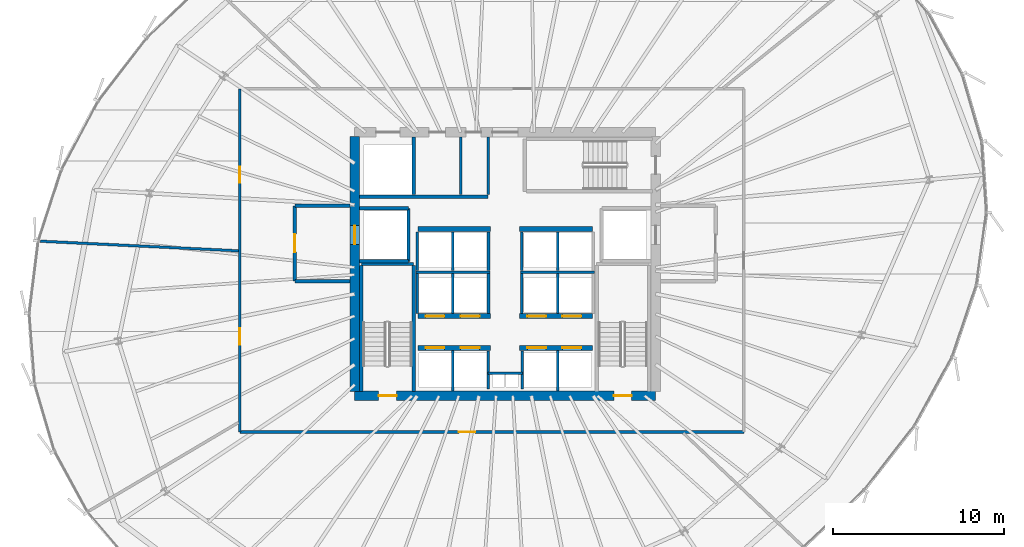
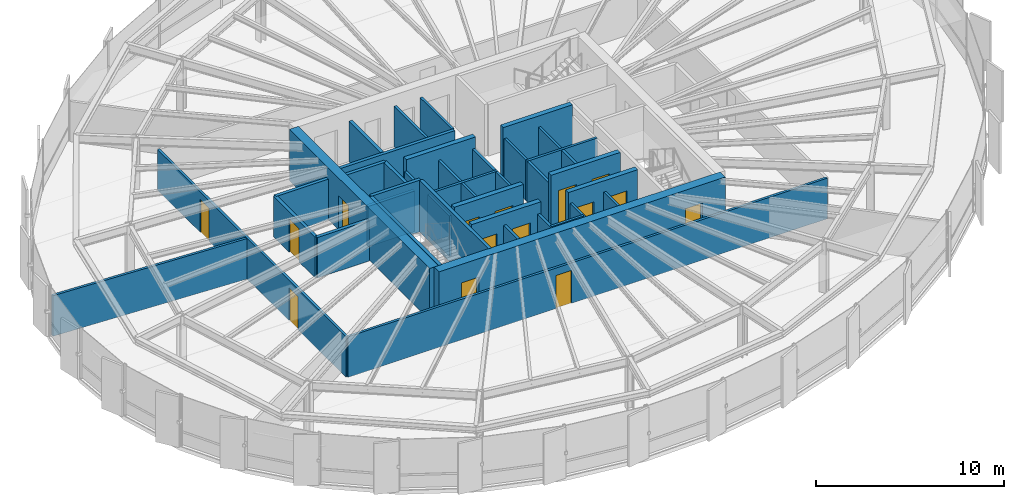
# One storey, part 28 of 34: 41 walls, 15 doors, 15 openings.
"""IFC4 building model written with IfcOpenShell, lengths in metres."""

from ifc_helpers import new_model, si_unit, direction, frame, frame_2d, origin, place, context, subcontext, project, spatial, rectangle, extrude, source, transform, mapped, material, layer, layer_set, type_object, element, fill, save


model = new_model("IFC4")

# Units and contexts
model_context = context("Model", 3, precision=1e-05, world=origin(), true_north=direction((0.0, 1.0)))
body_context = subcontext(model_context, "Body", "Model", "MODEL_VIEW")
ifc_project = project(units=[si_unit("LENGTHUNIT", "METRE"), si_unit("AREAUNIT", "SQUARE_METRE"), si_unit("VOLUMEUNIT", "CUBIC_METRE"), si_unit("PLANEANGLEUNIT", "RADIAN"), si_unit("MASSUNIT", "GRAM", prefix="KILO"), si_unit("THERMODYNAMICTEMPERATUREUNIT", "KELVIN")], contexts=[model_context])

# Site, building, storey
site_placement = place(None, origin())
site = spatial("IfcSite", under=ifc_project, at=site_placement, CompositionType="ELEMENT")
building_placement = place(site_placement, origin())
building = spatial("IfcBuilding", under=site, at=building_placement, Name="Kethvar Cultural Tower", CompositionType="ELEMENT")
storey_placement = place(building_placement, frame((0.0, 0.0, 125.199951171875)))
storey = spatial("IfcBuildingStorey", under=building, at=storey_placement, Name="L31", CompositionType="ELEMENT", Elevation=125.199951171875)

# Wall, openings, doors
ifc_material_1 = material(Name="Concrete C60/75", Category="concrete")
ifc_layer_1 = layer(ifc_material_1, 0.550048828125, Name="Concrete C60/75", Category="concrete")
ifc_layer_set_1 = layer_set([ifc_layer_1], Name="Concrete C60/75 (550 mm)")
wall_type_1 = type_object("IfcWallType", Name="WL-CORE-550", PredefinedType="SHEAR", material=ifc_layer_set_1)
wall_1_placement = place(storey_placement, frame((38.0, 20.10009765625, 0.0), z_axis=(0.0, 0.0, 1.0), x_axis=(1.0, 0.0, 0.0)))
wall_1 = element("IfcWall", 1, at=wall_1_placement, inside=storey, type_object=wall_type_1, Name="L31 Core Shear Wall S", PredefinedType="SHEAR", context=body_context, shape_type="SweptSolid", body=[
    extrude(rectangle(XDim=17.60009765625, YDim=0.550048828125, at=frame_2d((8.800048828125, 0.0))), origin(), (0.0, 0.0, 1.0), 3.35009765625),
])
opening_1_placement = place(wall_1_placement, frame((1.39990234375, 0.0, 0.0)))
opening_1 = element("IfcOpeningElement", 2, at=opening_1_placement, cuts=wall_1, Name="Opening D-L31-S1", PredefinedType="OPENING", context=body_context, shape_type="SweptSolid", body=[
    extrude(rectangle(XDim=1.050048828125, YDim=2.14990234375, at=frame_2d((0.52490234375, 1.074951171875))), frame((0.0, 0.284912109375, 0.0), z_axis=(0.0, -1.0, 0.0), x_axis=(1.0, 0.0, 0.0)), (0.0, 0.0, 1.0), 0.570068359375),
])
opening_2_placement = place(wall_1_placement, frame((15.14990234375, 0.0, 0.0)))
opening_2 = element("IfcOpeningElement", 3, at=opening_2_placement, cuts=wall_1, Name="Opening D-L31-ST2", PredefinedType="OPENING", context=body_context, shape_type="SweptSolid", body=[
    extrude(rectangle(XDim=1.050048828125, YDim=2.14990234375, at=frame_2d((0.52490234375, 1.074951171875))), frame((0.0, 0.284912109375, 0.0), z_axis=(0.0, -1.0, 0.0), x_axis=(1.0, 0.0, 0.0)), (0.0, 0.0, 1.0), 0.570068359375),
])
ifc_material_2 = material(Name="Steel S355J2", Category="steel")
door_type_1 = type_object("IfcDoorType", Name="DR-FD60-1050", OperationType="NOTDEFINED", PredefinedType="DOOR", material=ifc_material_2)
shared_shape_1 = source(origin(), body_context, "Body", "SweptSolid", [
    extrude(rectangle(XDim=1.050048828125, YDim=2.14990234375, at=frame_2d((0.52490234375, 1.074951171875))), frame((0.0, 0.02490234375, 0.0), z_axis=(0.0, -1.0, 0.0), x_axis=(1.0, 0.0, 0.0)), (0.0, 0.0, 1.0), 0.050048828125),
])
door_1_placement = place(opening_1_placement, origin())
door_1 = element("IfcDoor", 4, at=door_1_placement, inside=storey, type_object=door_type_1, Name="L31 Exit Stair 1 Door", OperationType="SINGLE_SWING_LEFT", OverallHeight=2.14990234375, OverallWidth=1.050048828125, PredefinedType="DOOR", context=body_context, shape_type="MappedRepresentation", body=[
    mapped(shared_shape_1, transform((0.0, 0.0, 0.0), scale=1.0)),
])
fill(opening_1, door_1)
door_2_placement = place(opening_2_placement, origin())
door_2 = element("IfcDoor", 5, at=door_2_placement, inside=storey, type_object=door_type_1, Name="L31 Exit Stair 2 Door", OperationType="SINGLE_SWING_RIGHT", OverallHeight=2.14990234375, OverallWidth=1.050048828125, PredefinedType="DOOR", context=body_context, shape_type="MappedRepresentation", body=[
    mapped(shared_shape_1, transform((0.0, 0.0, 0.0), scale=1.0)),
])
fill(opening_2, door_2)

# Wall, opening, door
wall_2_placement = place(storey_placement, frame((38.0, 35.260009765625, 0.0), z_axis=(0.0, 0.0, 1.0), x_axis=(0.0, -1.0, 0.0)))
wall_2 = element("IfcWall", 6, at=wall_2_placement, inside=storey, type_object=wall_type_1, Name="L31 Core Shear Wall W", PredefinedType="SHEAR", context=body_context, shape_type="SweptSolid", body=[
    extrude(rectangle(XDim=14.919921875, YDim=0.550048828125, at=frame_2d((7.4599609375, 0.0))), origin(), (0.0, 0.0, 1.0), 3.35009765625),
])
opening_3_placement = place(wall_2_placement, frame((5.2099609375, 0.0, 0.0)))
opening_3 = element("IfcOpeningElement", 7, at=opening_3_placement, cuts=wall_2, Name="Opening LD-1", PredefinedType="OPENING", context=body_context, shape_type="SweptSolid", body=[
    extrude(rectangle(XDim=1.10009765625, YDim=2.199951171875, at=frame_2d((0.550048828125, 1.10009765625))), frame((0.0, 0.284912109375, 0.0), z_axis=(0.0, -1.0, 0.0), x_axis=(1.0, 0.0, 0.0)), (0.0, 0.0, 1.0), 0.570068359375),
])
door_type_2 = type_object("IfcDoorType", Name="DR-LIFT-SLIDE-1100", OperationType="NOTDEFINED", PredefinedType="DOOR", material=ifc_material_2)
shared_shape_2 = source(origin(), body_context, "Body", "SweptSolid", [
    extrude(rectangle(XDim=1.10009765625, YDim=2.199951171875, at=frame_2d((0.550048828125, 1.10009765625))), frame((0.0, 0.02490234375, 0.0), z_axis=(0.0, -1.0, 0.0), x_axis=(1.0, 0.0, 0.0)), (0.0, 0.0, 1.0), 0.050048828125),
])
door_3_placement = place(opening_3_placement, origin())
door_3 = element("IfcDoor", 8, at=door_3_placement, inside=storey, type_object=door_type_2, Name="L31 Firefighting Lift Landing Door FFL-01", OperationType="SLIDING_TO_LEFT", OverallHeight=2.199951171875, OverallWidth=1.10009765625, PredefinedType="DOOR", context=body_context, shape_type="MappedRepresentation", body=[
    mapped(shared_shape_2, transform((0.0, 0.0, 0.0), scale=1.0)),
])
fill(opening_3, door_3)

# Walls
ifc_material_3 = material(Name="Gypsum Fireboard Partition")
ifc_layer_2 = layer(ifc_material_3, 0.14990234375, Name="Gypsum Fireboard Partition")
ifc_layer_set_2 = layer_set([ifc_layer_2], Name="Gypsum Fireboard Partition (150 mm)")
wall_type_2 = type_object("IfcWallType", Name="WL-FIRE-150", PredefinedType="PARTITIONING", material=ifc_layer_set_2)
wall_3_placement = place(storey_placement, frame((45.800048828125, 21.419921875, 0.0), z_axis=(0.0, 0.0, 1.0), x_axis=(1.0, 0.0, 0.0)))
element("IfcWall", 9, at=wall_3_placement, inside=storey, type_object=wall_type_2, Name="L31 Core Riser Wall", PredefinedType="PARTITIONING", context=body_context, shape_type="SweptSolid", body=[
    extrude(rectangle(XDim=2.0, YDim=0.14990234375, at=frame_2d((1.0, 0.0))), origin(), (0.0, 0.0, 1.0), 2.635009765625),
])
for number, where, z_axis, x_axis, name in (
    (10, (45.800048828125, 20.47998046875, 0.0), (0.0, 0.0, 1.0), (0.0, 1.0, 0.0), "L31 Core Riser West Wall"),
    (11, (47.800048828125, 20.47998046875, 0.0), (0.0, 0.0, 1.0), (0.0, 1.0, 0.0), "L31 Core Riser East Wall"),
):
    element("IfcWall", number, at=place(storey_placement, frame(where, z_axis=z_axis, x_axis=x_axis)), inside=storey, type_object=wall_type_2, Name=name, PredefinedType="PARTITIONING", context=body_context, shape_type="SweptSolid", body=[
        extrude(rectangle(XDim=2.239990234375, YDim=0.14990234375, at=frame_2d((1.1201171875, 0.0))), origin(), (0.0, 0.0, 1.0), 2.635009765625),
    ])
for number, where, z_axis, x_axis, name in (
    (12, (43.72509765625, 20.385009765625, 0.0), (0.0, 0.0, 1.0), (0.0, 1.0, 0.0), "L31 Low-Rise Lift Shaft Divider W"),
    (13, (49.875, 20.385009765625, 0.0), (0.0, 0.0, 1.0), (0.0, 1.0, 0.0), "L31 Low-Rise Lift Shaft Divider E"),
):
    element("IfcWall", number, at=place(storey_placement, frame(where, z_axis=z_axis, x_axis=x_axis)), inside=storey, type_object=wall_type_2, Name=name, PredefinedType="PARTITIONING", context=body_context, shape_type="SweptSolid", body=[
        extrude(rectangle(XDim=2.344970703125, YDim=0.14990234375, at=frame_2d((1.17236328125, 0.0))), origin(), (0.0, 0.0, 1.0), 2.635009765625),
    ])
wall_4_placement = place(storey_placement, frame((41.580078125, 27.324951171875, 0.0), z_axis=(0.0, 0.0, 1.0), x_axis=(1.0, 0.0, 0.0)))
element("IfcWall", 14, at=wall_4_placement, inside=storey, type_object=wall_type_2, Name="L31 Mid-High Lift Shaft Back Wall W", PredefinedType="PARTITIONING", context=body_context, shape_type="SweptSolid", body=[
    extrude(rectangle(XDim=4.31982421875, YDim=0.14990234375, at=frame_2d((2.159912109375, 0.0))), origin(), (0.0, 0.0, 1.0), 2.635009765625),
])
wall_5_placement = place(storey_placement, frame((47.699951171875, 27.324951171875, 0.0), z_axis=(0.0, 0.0, 1.0), x_axis=(1.0, 0.0, 0.0)))
element("IfcWall", 15, at=wall_5_placement, inside=storey, type_object=wall_type_2, Name="L31 Mid-High Lift Shaft Back Wall E", PredefinedType="PARTITIONING", context=body_context, shape_type="SweptSolid", body=[
    extrude(rectangle(XDim=4.320068359375, YDim=0.14990234375, at=frame_2d((2.16015625, 0.0))), origin(), (0.0, 0.0, 1.0), 2.635009765625),
])
for number, where, z_axis, x_axis, name in (
    (16, (41.64990234375, 24.919921875, 0.0), (0.0, 0.0, 1.0), (0.0, 1.0, 0.0), "L31 Mid-Rise Lift Shaft Outer Wall W"),
    (17, (43.72509765625, 24.919921875, 0.0), (0.0, 0.0, 1.0), (0.0, 1.0, 0.0), "L31 Mid-Rise Lift Shaft Divider W"),
    (18, (45.824951171875, 24.919921875, 0.0), (0.0, 0.0, 1.0), (0.0, 1.0, 0.0), "L31 Mid-Rise Lift Shaft Concourse Wall W"),
    (19, (47.77490234375, 24.919921875, 0.0), (0.0, 0.0, 1.0), (0.0, 1.0, 0.0), "L31 Mid-Rise Lift Shaft Concourse Wall E"),
    (20, (49.875, 24.919921875, 0.0), (0.0, 0.0, 1.0), (0.0, 1.0, 0.0), "L31 Mid-Rise Lift Shaft Divider E"),
):
    element("IfcWall", number, at=place(storey_placement, frame(where, z_axis=z_axis, x_axis=x_axis)), inside=storey, type_object=wall_type_2, Name=name, PredefinedType="PARTITIONING", context=body_context, shape_type="SweptSolid", body=[
        extrude(rectangle(XDim=2.320068359375, YDim=0.14990234375, at=frame_2d((1.16015625, 0.0))), origin(), (0.0, 0.0, 1.0), 2.635009765625),
    ])
for number, where, z_axis, x_axis, name in (
    (21, (41.64990234375, 27.409912109375, 0.0), (0.0, 0.0, 1.0), (0.0, 1.0, 0.0), "L31 High-Rise Lift Shaft Outer Wall W"),
    (22, (43.72509765625, 27.409912109375, 0.0), (0.0, 0.0, 1.0), (0.0, 1.0, 0.0), "L31 High-Rise Lift Shaft Divider W"),
    (23, (45.824951171875, 27.409912109375, 0.0), (0.0, 0.0, 1.0), (0.0, 1.0, 0.0), "L31 High-Rise Lift Shaft Concourse Wall W"),
    (24, (47.77490234375, 27.409912109375, 0.0), (0.0, 0.0, 1.0), (0.0, 1.0, 0.0), "L31 High-Rise Lift Shaft Concourse Wall E"),
    (25, (49.875, 27.409912109375, 0.0), (0.0, 0.0, 1.0), (0.0, 1.0, 0.0), "L31 High-Rise Lift Shaft Divider E"),
):
    element("IfcWall", number, at=place(storey_placement, frame(where, z_axis=z_axis, x_axis=x_axis)), inside=storey, type_object=wall_type_2, Name=name, PredefinedType="PARTITIONING", context=body_context, shape_type="SweptSolid", body=[
        extrude(rectangle(XDim=2.27001953125, YDim=0.14990234375, at=frame_2d((1.135009765625, 0.0))), origin(), (0.0, 0.0, 1.0), 2.635009765625),
    ])
wall_6_placement = place(storey_placement, frame((45.800048828125, 31.85009765625, 0.0), z_axis=(0.0, 0.0, 1.0), x_axis=(0.0, 1.0, 0.0)))
element("IfcWall", 26, at=wall_6_placement, inside=storey, type_object=wall_type_2, Name="L31 Sanitary Spine Wall", PredefinedType="PARTITIONING", context=body_context, shape_type="SweptSolid", body=[
    extrude(rectangle(XDim=3.364990234375, YDim=0.14990234375, at=frame_2d((1.6826171875, 0.0))), origin(), (0.0, 0.0, 1.0), 2.635009765625),
])

# Wall, opening, door
wall_7_placement = place(storey_placement, frame((31.2900390625, 17.97998046875, 0.0), z_axis=(0.0, 0.0, 1.0), x_axis=(1.0, 0.0, 0.0)))
wall_7 = element("IfcWall", 27, at=wall_7_placement, inside=storey, type_object=wall_type_2, Name="L31 Corridor Rated Wall S", PredefinedType="PARTITIONING", context=body_context, shape_type="SweptSolid", body=[
    extrude(rectangle(XDim=29.4599609375, YDim=0.14990234375, at=frame_2d((14.72998046875, 0.0))), origin(), (0.0, 0.0, 1.0), 2.635009765625),
])
opening_4_placement = place(wall_7_placement, frame((12.807373046875, 0.0, 0.0)))
opening_4 = element("IfcOpeningElement", 28, at=opening_4_placement, cuts=wall_7, Name="Opening D-L31-01", PredefinedType="OPENING", context=body_context, shape_type="SweptSolid", body=[
    extrude(rectangle(XDim=0.949951171875, YDim=2.14990234375, at=frame_2d((0.47509765625, 1.074951171875))), frame((0.0, 0.0849609375, 0.0), z_axis=(0.0, -1.0, 0.0), x_axis=(1.0, 0.0, 0.0)), (0.0, 0.0, 1.0), 0.169921875),
])
ifc_material_4 = material(Name="Architectural Oak Timber", Category="wood")
door_type_3 = type_object("IfcDoorType", Name="DR-FD30-950", OperationType="NOTDEFINED", PredefinedType="DOOR", material=ifc_material_4)
shared_shape_3 = source(origin(), body_context, "Body", "SweptSolid", [
    extrude(rectangle(XDim=0.949951171875, YDim=2.14990234375, at=frame_2d((0.47509765625, 1.074951171875))), frame((0.0, 0.02490234375, 0.0), z_axis=(0.0, -1.0, 0.0), x_axis=(1.0, 0.0, 0.0)), (0.0, 0.0, 1.0), 0.050048828125),
])
door_4_placement = place(opening_4_placement, origin())
door_4 = element("IfcDoor", 29, at=door_4_placement, inside=storey, type_object=door_type_3, Name="L31 Sky Lobby Concourse Foyer 01 Door", OperationType="SINGLE_SWING_RIGHT", OverallHeight=2.14990234375, OverallWidth=0.949951171875, PredefinedType="DOOR", context=body_context, shape_type="MappedRepresentation", body=[
    mapped(shared_shape_3, transform((0.0, 0.0, 0.0), scale=1.0)),
])
fill(opening_4, door_4)

# Wall, openings, doors
wall_8_placement = place(storey_placement, frame((31.2900390625, 38.0400390625, 0.0), z_axis=(0.0, 0.0, 1.0), x_axis=(0.0, -1.0, 0.0)))
wall_8 = element("IfcWall", 30, at=wall_8_placement, inside=storey, type_object=wall_type_2, Name="L31 Corridor Rated Wall W", PredefinedType="PARTITIONING", context=body_context, shape_type="SweptSolid", body=[
    extrude(rectangle(XDim=20.06005859375, YDim=0.14990234375, at=frame_2d((10.030029296875, 0.0))), origin(), (0.0, 0.0, 1.0), 2.635009765625),
])
opening_5_placement = place(wall_8_placement, frame((4.5517578125, 0.0, 0.0)))
opening_5 = element("IfcOpeningElement", 31, at=opening_5_placement, cuts=wall_8, Name="Opening D-L31-04", PredefinedType="OPENING", context=body_context, shape_type="SweptSolid", body=[
    extrude(rectangle(XDim=0.949951171875, YDim=2.14990234375, at=frame_2d((0.47509765625, 1.074951171875))), frame((0.0, 0.0849609375, 0.0), z_axis=(0.0, -1.0, 0.0), x_axis=(1.0, 0.0, 0.0)), (0.0, 0.0, 1.0), 0.169921875),
])
opening_6_placement = place(wall_8_placement, frame((14.001708984375, 0.0, 0.0)))
opening_6 = element("IfcOpeningElement", 32, at=opening_6_placement, cuts=wall_8, Name="Opening D-L31-05", PredefinedType="OPENING", context=body_context, shape_type="SweptSolid", body=[
    extrude(rectangle(XDim=0.949951171875, YDim=2.14990234375, at=frame_2d((0.47509765625, 1.074951171875))), frame((0.0, 0.0849609375, 0.0), z_axis=(0.0, -1.0, 0.0), x_axis=(1.0, 0.0, 0.0)), (0.0, 0.0, 1.0), 0.169921875),
])
door_5_placement = place(opening_5_placement, origin())
door_5 = element("IfcDoor", 33, at=door_5_placement, inside=storey, type_object=door_type_3, Name="L31 Patron Reception 04 Door", OperationType="SINGLE_SWING_LEFT", OverallHeight=2.14990234375, OverallWidth=0.949951171875, PredefinedType="DOOR", context=body_context, shape_type="MappedRepresentation", body=[
    mapped(shared_shape_3, transform((0.0, 0.0, 0.0), scale=1.0)),
])
fill(opening_5, door_5)
door_6_placement = place(opening_6_placement, origin())
door_6 = element("IfcDoor", 34, at=door_6_placement, inside=storey, type_object=door_type_3, Name="L31 Sky Lobby Espresso Pantry 05 Door", OperationType="SINGLE_SWING_RIGHT", OverallHeight=2.14990234375, OverallWidth=0.949951171875, PredefinedType="DOOR", context=body_context, shape_type="MappedRepresentation", body=[
    mapped(shared_shape_3, transform((0.0, 0.0, 0.0), scale=1.0)),
])
fill(opening_6, door_6)

# Walls
ifc_material_5 = material(Name="Concrete C40/50", Category="concrete")
ifc_layer_3 = layer(ifc_material_5, 0.199951171875, Name="Concrete C40/50", Category="concrete")
ifc_layer_set_3 = layer_set([ifc_layer_3], Name="Concrete C40/50 (200 mm)")
wall_type_3 = type_object("IfcWallType", Name="WL-FIRE-200", PredefinedType="PARTITIONING", material=ifc_layer_set_3)
wall_9_placement = place(storey_placement, frame((41.14990234375, 27.949951171875, 0.0), z_axis=(0.0, 0.0, 1.0), x_axis=(0.0, 1.0, 0.0)))
element("IfcWall", 35, at=wall_9_placement, inside=storey, type_object=wall_type_3, Name="L31 FFL-01 Shaft Inner Wall", PredefinedType="PARTITIONING", context=body_context, shape_type="SweptSolid", body=[
    extrude(rectangle(XDim=3.10009765625, YDim=0.199951171875, at=frame_2d((1.550048828125, 0.0))), origin(), (0.0, 0.0, 1.0), 2.635009765625),
])
for number, where, z_axis, x_axis, name in (
    (36, (38.284912109375, 27.949951171875, 0.0), (0.0, 0.0, 1.0), (1.0, 0.0, 0.0), "L31 FFL-01 Shaft South Wall"),
    (37, (38.284912109375, 31.050048828125, 0.0), (0.0, 0.0, 1.0), (1.0, 0.0, 0.0), "L31 FFL-01 Shaft North Wall"),
):
    element("IfcWall", number, at=place(storey_placement, frame(where, z_axis=z_axis, x_axis=x_axis)), inside=storey, type_object=wall_type_3, Name=name, PredefinedType="PARTITIONING", context=body_context, shape_type="SweptSolid", body=[
        extrude(rectangle(XDim=2.864990234375, YDim=0.199951171875, at=frame_2d((1.4326171875, 0.0))), origin(), (0.0, 0.0, 1.0), 2.635009765625),
    ])

# Wall, opening, door
wall_10_placement = place(storey_placement, frame((34.5, 31.199951171875, 0.0), z_axis=(0.0, 0.0, 1.0), x_axis=(0.0, -1.0, 0.0)))
wall_10 = element("IfcWall", 38, at=wall_10_placement, inside=storey, type_object=wall_type_3, Name="L31 Firefighting Lobby 1 Wall", PredefinedType="PARTITIONING", context=body_context, shape_type="SweptSolid", body=[
    extrude(rectangle(XDim=4.39990234375, YDim=0.199951171875, at=frame_2d((2.199951171875, 0.0))), origin(), (0.0, 0.0, 1.0), 2.635009765625),
])
opening_7_placement = place(wall_10_placement, frame((1.64990234375, 0.0, 0.0)))
opening_7 = element("IfcOpeningElement", 39, at=opening_7_placement, cuts=wall_10, Name="Opening D-L31-F1", PredefinedType="OPENING", context=body_context, shape_type="SweptSolid", body=[
    extrude(rectangle(XDim=1.050048828125, YDim=2.14990234375, at=frame_2d((0.52490234375, 1.074951171875))), frame((0.0, 0.10986328125, 0.0), z_axis=(0.0, -1.0, 0.0), x_axis=(1.0, 0.0, 0.0)), (0.0, 0.0, 1.0), 0.219970703125),
])
door_7_placement = place(opening_7_placement, origin())
door_7 = element("IfcDoor", 40, at=door_7_placement, inside=storey, type_object=door_type_1, Name="L31 Firefighting Lobby 1 Fire Door", OperationType="SINGLE_SWING_LEFT", OverallHeight=2.14990234375, OverallWidth=1.050048828125, PredefinedType="DOOR", context=body_context, shape_type="MappedRepresentation", body=[
    mapped(shared_shape_1, transform((0.0, 0.0, 0.0), scale=1.0)),
])
fill(opening_7, door_7)

# Walls
for number, where, z_axis, x_axis, name in (
    (41, (34.5, 26.800048828125, 0.0), (0.0, 0.0, 1.0), (1.0, 0.0, 0.0), "L31 FF Lobby 1 South Wall"),
    (42, (34.5, 31.199951171875, 0.0), (0.0, 0.0, 1.0), (1.0, 0.0, 0.0), "L31 FF Lobby 1 North Wall"),
):
    element("IfcWall", number, at=place(storey_placement, frame(where, z_axis=z_axis, x_axis=x_axis)), inside=storey, type_object=wall_type_3, Name=name, PredefinedType="PARTITIONING", context=body_context, shape_type="SweptSolid", body=[
        extrude(rectangle(XDim=3.215087890625, YDim=0.199951171875, at=frame_2d((1.607421875, 0.0))), origin(), (0.0, 0.0, 1.0), 2.635009765625),
    ])
wall_11_placement = place(storey_placement, frame((41.449951171875, 31.85009765625, 0.0), z_axis=(0.0, 0.0, 1.0), x_axis=(0.0, 1.0, 0.0)))
element("IfcWall", 43, at=wall_11_placement, inside=storey, type_object=wall_type_3, Name="L31 NW Core Pocket Wall", PredefinedType="PARTITIONING", context=body_context, shape_type="SweptSolid", body=[
    extrude(rectangle(XDim=3.364990234375, YDim=0.199951171875, at=frame_2d((1.6826171875, 0.0))), origin(), (0.0, 0.0, 1.0), 2.635009765625),
])
wall_12_placement = place(storey_placement, frame((38.284912109375, 31.72998046875, 0.0), z_axis=(0.0, 0.0, 1.0), x_axis=(1.0, 0.0, 0.0)))
element("IfcWall", 44, at=wall_12_placement, inside=storey, type_object=wall_type_3, Name="L31 North Core Sanitary South Wall", PredefinedType="PARTITIONING", context=body_context, shape_type="SweptSolid", body=[
    extrude(rectangle(XDim=7.51513671875, YDim=0.199951171875, at=frame_2d((3.757568359375, 0.0))), origin(), (0.0, 0.0, 1.0), 2.635009765625),
])
ifc_material_6 = material(Name="Gypsum Acoustic Partition")
ifc_layer_4 = layer(ifc_material_6, 0.14990234375, Name="Gypsum Acoustic Partition")
ifc_layer_set_4 = layer_set([ifc_layer_4], Name="Gypsum Acoustic Partition (150 mm)")
wall_type_4 = type_object("IfcWallType", Name="WL-PART-150", PredefinedType="PARTITIONING", material=ifc_layer_set_4)
wall_13_placement = place(storey_placement, frame((31.210205078125, 28.570068359375, 0.0), z_axis=(0.0, 0.0, 1.0), x_axis=(-0.998817663402, 0.048613529761, 0.0)))
element("IfcWall", 45, at=wall_13_placement, inside=storey, type_object=wall_type_4, Name="L31 Radial Partition Wall 05", PredefinedType="PARTITIONING", context=body_context, shape_type="SweptSolid", body=[
    extrude(rectangle(XDim=11.60595703125, YDim=0.14990234375, at=frame_2d((5.802978515625, 0.0))), origin(), (0.0, 0.0, 1.0), 2.635009765625),
])
ifc_material_7 = material(Name="Moisture-Resistant Sanitary Chase Wall")
ifc_layer_5 = layer(ifc_material_7, 0.14990234375, Name="Moisture-Resistant Sanitary Chase Wall")
ifc_layer_set_5 = layer_set([ifc_layer_5], Name="Moisture-Resistant Sanitary Chase Wall (150 mm)")
wall_type_5 = type_object("IfcWallType", Name="WL-PLUMB-150", PredefinedType="PLUMBINGWALL", material=ifc_layer_set_5)
wall_14_placement = place(storey_placement, frame((44.199951171875, 31.85009765625, 0.0), z_axis=(0.0, 0.0, 1.0), x_axis=(0.0, 1.0, 0.0)))
element("IfcWall", 46, at=wall_14_placement, inside=storey, type_object=wall_type_5, Name="L31 Sanitary Plumbing Wall", PredefinedType="PLUMBINGWALL", context=body_context, shape_type="SweptSolid", body=[
    extrude(rectangle(XDim=3.364990234375, YDim=0.14990234375, at=frame_2d((1.6826171875, 0.0))), origin(), (0.0, 0.0, 1.0), 2.635009765625),
])

# Wall, openings, doors
ifc_material_8 = material(Name="Concrete C50/60", Category="concrete")
ifc_layer_6 = layer(ifc_material_8, 0.300048828125, Name="Concrete C50/60", Category="concrete")
ifc_layer_set_6 = layer_set([ifc_layer_6], Name="Concrete C50/60 (300 mm)")
wall_type_6 = type_object("IfcWallType", Name="WL-SHAFT-300", PredefinedType="SHEAR", material=ifc_layer_set_6)
wall_15_placement = place(storey_placement, frame((41.699951171875, 22.89990234375, 0.0), z_axis=(0.0, 0.0, 1.0), x_axis=(1.0, 0.0, 0.0)))
wall_15 = element("IfcWall", 47, at=wall_15_placement, inside=storey, type_object=wall_type_6, Name="L31 Core Lift Spine Wall MID1W", PredefinedType="SHEAR", context=body_context, shape_type="SweptSolid", body=[
    extrude(rectangle(XDim=4.25, YDim=0.300048828125, at=frame_2d((2.125, 0.0))), origin(), (0.0, 0.0, 1.0), 3.35009765625),
])
opening_8_placement = place(wall_15_placement, frame((0.449951171875, 0.0, 0.0)))
opening_8 = element("IfcOpeningElement", 48, at=opening_8_placement, cuts=wall_15, Name="Opening LD-L1", PredefinedType="OPENING", context=body_context, shape_type="SweptSolid", body=[
    extrude(rectangle(XDim=1.10009765625, YDim=2.199951171875, at=frame_2d((0.550048828125, 1.10009765625))), frame((0.0, 0.159912109375, 0.0), z_axis=(0.0, -1.0, 0.0), x_axis=(1.0, 0.0, 0.0)), (0.0, 0.0, 1.0), 0.320068359375),
])
opening_9_placement = place(wall_15_placement, frame((2.5, 0.0, 0.0)))
opening_9 = element("IfcOpeningElement", 49, at=opening_9_placement, cuts=wall_15, Name="Opening LD-L2", PredefinedType="OPENING", context=body_context, shape_type="SweptSolid", body=[
    extrude(rectangle(XDim=1.10009765625, YDim=2.199951171875, at=frame_2d((0.550048828125, 1.10009765625))), frame((0.0, 0.159912109375, 0.0), z_axis=(0.0, -1.0, 0.0), x_axis=(1.0, 0.0, 0.0)), (0.0, 0.0, 1.0), 0.320068359375),
])
door_8_placement = place(opening_8_placement, origin())
door_8 = element("IfcDoor", 50, at=door_8_placement, inside=storey, type_object=door_type_2, Name="L31 Low-Rise Lift Landing Door L1", OperationType="SLIDING_TO_LEFT", OverallHeight=2.199951171875, OverallWidth=1.10009765625, PredefinedType="DOOR", context=body_context, shape_type="MappedRepresentation", body=[
    mapped(shared_shape_2, transform((0.0, 0.0, 0.0), scale=1.0)),
])
fill(opening_8, door_8)
door_9_placement = place(opening_9_placement, origin())
door_9 = element("IfcDoor", 51, at=door_9_placement, inside=storey, type_object=door_type_2, Name="L31 Low-Rise Lift Landing Door L2", OperationType="SLIDING_TO_LEFT", OverallHeight=2.199951171875, OverallWidth=1.10009765625, PredefinedType="DOOR", context=body_context, shape_type="MappedRepresentation", body=[
    mapped(shared_shape_2, transform((0.0, 0.0, 0.0), scale=1.0)),
])
fill(opening_9, door_9)

wall_16_placement = place(storey_placement, frame((47.64990234375, 22.89990234375, 0.0), z_axis=(0.0, 0.0, 1.0), x_axis=(1.0, 0.0, 0.0)))
wall_16 = element("IfcWall", 52, at=wall_16_placement, inside=storey, type_object=wall_type_6, Name="L31 Core Lift Spine Wall MID1E", PredefinedType="SHEAR", context=body_context, shape_type="SweptSolid", body=[
    extrude(rectangle(XDim=4.25, YDim=0.300048828125, at=frame_2d((2.125, 0.0))), origin(), (0.0, 0.0, 1.0), 3.35009765625),
])
opening_10_placement = place(wall_16_placement, frame((0.449951171875, 0.0, 0.0)))
opening_10 = element("IfcOpeningElement", 53, at=opening_10_placement, cuts=wall_16, Name="Opening LD-L3", PredefinedType="OPENING", context=body_context, shape_type="SweptSolid", body=[
    extrude(rectangle(XDim=1.10009765625, YDim=2.199951171875, at=frame_2d((0.550048828125, 1.10009765625))), frame((0.0, 0.159912109375, 0.0), z_axis=(0.0, -1.0, 0.0), x_axis=(1.0, 0.0, 0.0)), (0.0, 0.0, 1.0), 0.320068359375),
])
opening_11_placement = place(wall_16_placement, frame((2.5, 0.0, 0.0)))
opening_11 = element("IfcOpeningElement", 54, at=opening_11_placement, cuts=wall_16, Name="Opening LD-L4", PredefinedType="OPENING", context=body_context, shape_type="SweptSolid", body=[
    extrude(rectangle(XDim=1.10009765625, YDim=2.199951171875, at=frame_2d((0.550048828125, 1.10009765625))), frame((0.0, 0.159912109375, 0.0), z_axis=(0.0, -1.0, 0.0), x_axis=(1.0, 0.0, 0.0)), (0.0, 0.0, 1.0), 0.320068359375),
])
door_10_placement = place(opening_10_placement, origin())
door_10 = element("IfcDoor", 55, at=door_10_placement, inside=storey, type_object=door_type_2, Name="L31 Low-Rise Lift Landing Door L3", OperationType="SLIDING_TO_LEFT", OverallHeight=2.199951171875, OverallWidth=1.10009765625, PredefinedType="DOOR", context=body_context, shape_type="MappedRepresentation", body=[
    mapped(shared_shape_2, transform((0.0, 0.0, 0.0), scale=1.0)),
])
fill(opening_10, door_10)
door_11_placement = place(opening_11_placement, origin())
door_11 = element("IfcDoor", 56, at=door_11_placement, inside=storey, type_object=door_type_2, Name="L31 Low-Rise Lift Landing Door L4", OperationType="SLIDING_TO_LEFT", OverallHeight=2.199951171875, OverallWidth=1.10009765625, PredefinedType="DOOR", context=body_context, shape_type="MappedRepresentation", body=[
    mapped(shared_shape_2, transform((0.0, 0.0, 0.0), scale=1.0)),
])
fill(opening_11, door_11)

wall_17_placement = place(storey_placement, frame((41.699951171875, 24.75, 0.0), z_axis=(0.0, 0.0, 1.0), x_axis=(1.0, 0.0, 0.0)))
wall_17 = element("IfcWall", 57, at=wall_17_placement, inside=storey, type_object=wall_type_6, Name="L31 Core Lift Spine Wall MID2W", PredefinedType="SHEAR", context=body_context, shape_type="SweptSolid", body=[
    extrude(rectangle(XDim=4.25, YDim=0.300048828125, at=frame_2d((2.125, 0.0))), origin(), (0.0, 0.0, 1.0), 3.35009765625),
])
opening_12_placement = place(wall_17_placement, frame((0.449951171875, 0.0, 0.0)))
opening_12 = element("IfcOpeningElement", 58, at=opening_12_placement, cuts=wall_17, Name="Opening LD-M1", PredefinedType="OPENING", context=body_context, shape_type="SweptSolid", body=[
    extrude(rectangle(XDim=1.10009765625, YDim=2.199951171875, at=frame_2d((0.550048828125, 1.10009765625))), frame((0.0, 0.159912109375, 0.0), z_axis=(0.0, -1.0, 0.0), x_axis=(1.0, 0.0, 0.0)), (0.0, 0.0, 1.0), 0.320068359375),
])
opening_13_placement = place(wall_17_placement, frame((2.5, 0.0, 0.0)))
opening_13 = element("IfcOpeningElement", 59, at=opening_13_placement, cuts=wall_17, Name="Opening LD-M2", PredefinedType="OPENING", context=body_context, shape_type="SweptSolid", body=[
    extrude(rectangle(XDim=1.10009765625, YDim=2.199951171875, at=frame_2d((0.550048828125, 1.10009765625))), frame((0.0, 0.159912109375, 0.0), z_axis=(0.0, -1.0, 0.0), x_axis=(1.0, 0.0, 0.0)), (0.0, 0.0, 1.0), 0.320068359375),
])
door_12_placement = place(opening_12_placement, origin())
door_12 = element("IfcDoor", 60, at=door_12_placement, inside=storey, type_object=door_type_2, Name="L31 Mid-Rise Lift Landing Door M1", OperationType="SLIDING_TO_RIGHT", OverallHeight=2.199951171875, OverallWidth=1.10009765625, PredefinedType="DOOR", context=body_context, shape_type="MappedRepresentation", body=[
    mapped(shared_shape_2, transform((0.0, 0.0, 0.0), scale=1.0)),
])
fill(opening_12, door_12)
door_13_placement = place(opening_13_placement, origin())
door_13 = element("IfcDoor", 61, at=door_13_placement, inside=storey, type_object=door_type_2, Name="L31 Mid-Rise Lift Landing Door M2", OperationType="SLIDING_TO_RIGHT", OverallHeight=2.199951171875, OverallWidth=1.10009765625, PredefinedType="DOOR", context=body_context, shape_type="MappedRepresentation", body=[
    mapped(shared_shape_2, transform((0.0, 0.0, 0.0), scale=1.0)),
])
fill(opening_13, door_13)

wall_18_placement = place(storey_placement, frame((47.64990234375, 24.75, 0.0), z_axis=(0.0, 0.0, 1.0), x_axis=(1.0, 0.0, 0.0)))
wall_18 = element("IfcWall", 62, at=wall_18_placement, inside=storey, type_object=wall_type_6, Name="L31 Core Lift Spine Wall MID2E", PredefinedType="SHEAR", context=body_context, shape_type="SweptSolid", body=[
    extrude(rectangle(XDim=4.25, YDim=0.300048828125, at=frame_2d((2.125, 0.0))), origin(), (0.0, 0.0, 1.0), 3.35009765625),
])
opening_14_placement = place(wall_18_placement, frame((0.449951171875, 0.0, 0.0)))
opening_14 = element("IfcOpeningElement", 63, at=opening_14_placement, cuts=wall_18, Name="Opening LD-M3", PredefinedType="OPENING", context=body_context, shape_type="SweptSolid", body=[
    extrude(rectangle(XDim=1.10009765625, YDim=2.199951171875, at=frame_2d((0.550048828125, 1.10009765625))), frame((0.0, 0.159912109375, 0.0), z_axis=(0.0, -1.0, 0.0), x_axis=(1.0, 0.0, 0.0)), (0.0, 0.0, 1.0), 0.320068359375),
])
opening_15_placement = place(wall_18_placement, frame((2.5, 0.0, 0.0)))
opening_15 = element("IfcOpeningElement", 64, at=opening_15_placement, cuts=wall_18, Name="Opening LD-M4", PredefinedType="OPENING", context=body_context, shape_type="SweptSolid", body=[
    extrude(rectangle(XDim=1.10009765625, YDim=2.199951171875, at=frame_2d((0.550048828125, 1.10009765625))), frame((0.0, 0.159912109375, 0.0), z_axis=(0.0, -1.0, 0.0), x_axis=(1.0, 0.0, 0.0)), (0.0, 0.0, 1.0), 0.320068359375),
])
door_14_placement = place(opening_14_placement, origin())
door_14 = element("IfcDoor", 65, at=door_14_placement, inside=storey, type_object=door_type_2, Name="L31 Mid-Rise Lift Landing Door M3", OperationType="SLIDING_TO_RIGHT", OverallHeight=2.199951171875, OverallWidth=1.10009765625, PredefinedType="DOOR", context=body_context, shape_type="MappedRepresentation", body=[
    mapped(shared_shape_2, transform((0.0, 0.0, 0.0), scale=1.0)),
])
fill(opening_14, door_14)
door_15_placement = place(opening_15_placement, origin())
door_15 = element("IfcDoor", 66, at=door_15_placement, inside=storey, type_object=door_type_2, Name="L31 Mid-Rise Lift Landing Door M4", OperationType="SLIDING_TO_RIGHT", OverallHeight=2.199951171875, OverallWidth=1.10009765625, PredefinedType="DOOR", context=body_context, shape_type="MappedRepresentation", body=[
    mapped(shared_shape_2, transform((0.0, 0.0, 0.0), scale=1.0)),
])
fill(opening_15, door_15)

# Walls
for number, where, z_axis, x_axis, name in (
    (67, (41.699951171875, 29.85009765625, 0.0), (0.0, 0.0, 1.0), (1.0, 0.0, 0.0), "L31 Core Lift Spine Wall MID3W"),
    (68, (47.64990234375, 29.85009765625, 0.0), (0.0, 0.0, 1.0), (1.0, 0.0, 0.0), "L31 Core Lift Spine Wall MID3E"),
):
    element("IfcWall", number, at=place(storey_placement, frame(where, z_axis=z_axis, x_axis=x_axis)), inside=storey, type_object=wall_type_6, Name=name, PredefinedType="SHEAR", context=body_context, shape_type="SweptSolid", body=[
        extrude(rectangle(XDim=4.25, YDim=0.300048828125, at=frame_2d((2.125, 0.0))), origin(), (0.0, 0.0, 1.0), 3.35009765625),
    ])
ifc_layer_7 = layer(ifc_material_8, 0.199951171875, Name="Concrete C50/60", Category="concrete")
ifc_layer_set_7 = layer_set([ifc_layer_7], Name="Concrete C50/60 (200 mm)")
wall_type_7 = type_object("IfcWallType", Name="WL-STSHAFT-200", PredefinedType="SHEAR", material=ifc_layer_set_7)
wall_19_placement = place(storey_placement, frame((38.389892578125, 27.800048828125, 0.0), z_axis=(0.0, 0.0, 1.0), x_axis=(1.0, 0.0, 0.0)))
element("IfcWall", 69, at=wall_19_placement, inside=storey, type_object=wall_type_7, Name="L31 ST-01 Stair Shaft Wall FAR", PredefinedType="SHEAR", context=body_context, shape_type="SweptSolid", body=[
    extrude(rectangle(XDim=3.06005859375, YDim=0.199951171875, at=frame_2d((1.530029296875, 0.0))), origin(), (0.0, 0.0, 1.0), 3.35009765625),
])
for number, where, z_axis, x_axis, name in (
    (70, (41.449951171875, 27.699951171875, 0.0), (0.0, 0.0, 1.0), (0.0, -1.0, 0.0), "L31 ST-01 Stair Shaft Wall LEFT"),
    (71, (38.389892578125, 20.35009765625, 0.0), (0.0, 0.0, 1.0), (0.0, 1.0, 0.0), "L31 ST-01 Stair Shaft Wall RIGHT"),
):
    element("IfcWall", number, at=place(storey_placement, frame(where, z_axis=z_axis, x_axis=x_axis)), inside=storey, type_object=wall_type_7, Name=name, PredefinedType="SHEAR", context=body_context, shape_type="SweptSolid", body=[
        extrude(rectangle(XDim=7.349853515625, YDim=0.199951171875, at=frame_2d((3.6748046875, 0.0))), origin(), (0.0, 0.0, 1.0), 3.35009765625),
    ])

save(model, "model.ifc")
